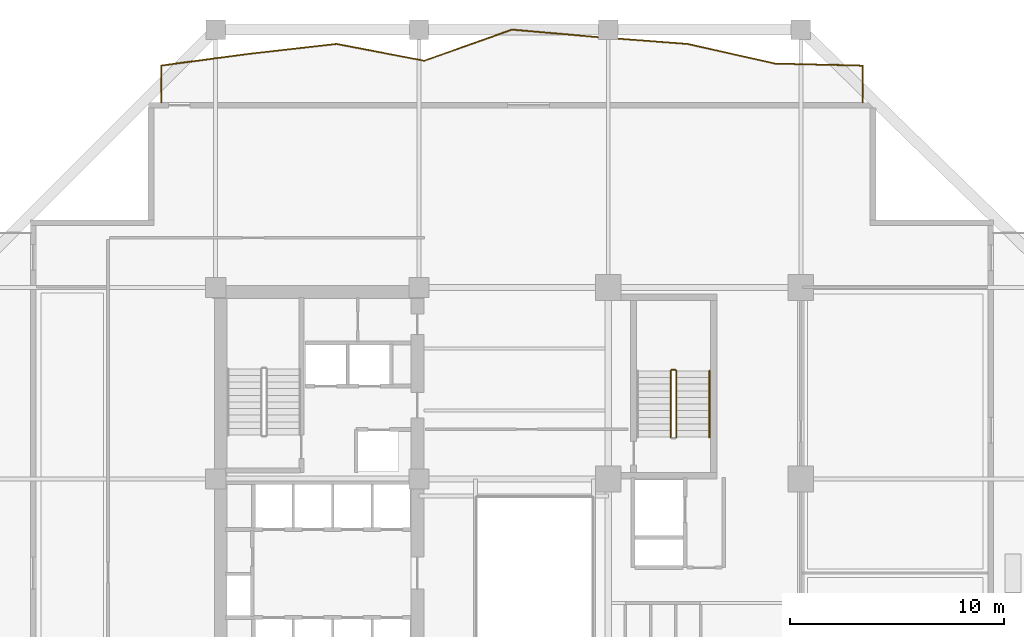
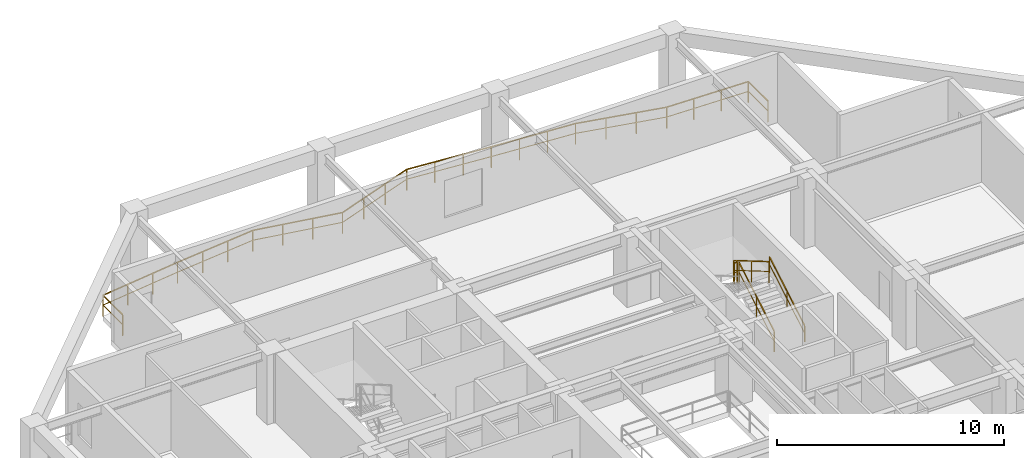
# One storey, part 11 of 13: 5 railings.
"""IFC4 building model written with IfcOpenShell, lengths in metres."""

from ifc_helpers import new_model, si_unit, direction, frame, origin, origin_2d, place, context, subcontext, project, spatial, rectangle, extrude, material, type_object, element, save


model = new_model("IFC4")

# Units and contexts
model_context = context("Model", 3, precision=1e-05, world=origin(), true_north=direction((0.0, 1.0)))
body_context = subcontext(model_context, "Body", "Model", "MODEL_VIEW")
ifc_project = project(units=[si_unit("LENGTHUNIT", "METRE"), si_unit("AREAUNIT", "SQUARE_METRE"), si_unit("VOLUMEUNIT", "CUBIC_METRE"), si_unit("PLANEANGLEUNIT", "RADIAN"), si_unit("MASSUNIT", "GRAM", prefix="KILO")], contexts=[model_context])

# Site, building, storey
site_placement = place(None, origin())
site = spatial("IfcSite", under=ifc_project, at=site_placement, CompositionType="ELEMENT")
building_placement = place(site_placement, origin())
building = spatial("IfcBuilding", under=site, at=building_placement, Name="Kundavana Baori Tower", CompositionType="ELEMENT")
storey_placement = place(building_placement, frame((0.0, 0.0, 34.0)))
storey = spatial("IfcBuildingStorey", under=building, at=storey_placement, Name="L07", CompositionType="ELEMENT", Elevation=34.0)

# Railings
ifc_material_1 = material(Name="Architectural Patinated Bronze Metalwork")
railing_type_1 = type_object("IfcRailingType", Name="RL-BAL-1150", PredefinedType="BALUSTRADE", material=ifc_material_1)
railing_1_placement = place(storey_placement, frame((12.89990234375, 50.60009765625, 0.0)))
element("IfcRailing", 1, at=railing_1_placement, inside=storey, type_object=railing_type_1, Name="L07 Loggia Balcony Balustrade N", PredefinedType="BALUSTRADE", context=body_context, shape_type="SweptSolid", body=[
    extrude(rectangle(XDim=0.048095703125, YDim=0.048095703125, at=origin_2d()), frame((0.0, 0.0, 1.1259765625), z_axis=(0.0, 1.0, 0.0), x_axis=(-1.0, 0.0, 0.0)), (0.0, 0.0, 1.0), 1.719970703125),
    extrude(rectangle(XDim=0.03125, YDim=0.03125, at=origin_2d()), frame((0.0, 0.0, 0.597900390625), z_axis=(0.0, 1.0, 0.0), x_axis=(-1.0, 0.0, 0.0)), (0.0, 0.0, 1.0), 1.719970703125),
    extrude(rectangle(XDim=0.048095703125, YDim=0.048095703125, at=origin_2d()), frame((0.0, 1.719970703125, 1.1259765625), z_axis=(0.991159730328, 0.132673995104, 0.0), x_axis=(-0.132673995104, 0.991159730328, 0.0)), (0.0, 0.0, 1.0), 4.13671875),
    extrude(rectangle(XDim=0.03125, YDim=0.03125, at=origin_2d()), frame((0.0, 1.719970703125, 0.597900390625), z_axis=(0.991159730328, 0.132673995104, 0.0), x_axis=(-0.132673995104, 0.991159730328, 0.0)), (0.0, 0.0, 1.0), 4.13671875),
    extrude(rectangle(XDim=0.048095703125, YDim=0.048095703125, at=origin_2d()), frame((4.10009765625, 2.268798828125, 1.1259765625), z_axis=(0.993627863206, 0.112710556116, 0.0), x_axis=(-0.112710556116, 0.993627863206, 0.0)), (0.0, 0.0, 1.0), 4.12646484375),
    extrude(rectangle(XDim=0.03125, YDim=0.03125, at=origin_2d()), frame((4.10009765625, 2.268798828125, 0.597900390625), z_axis=(0.993627863206, 0.112710556116, 0.0), x_axis=(-0.112710556116, 0.993627863206, 0.0)), (0.0, 0.0, 1.0), 4.12646484375),
    extrude(rectangle(XDim=0.048095703125, YDim=0.048095703125, at=origin_2d()), frame((8.2001953125, 2.73388671875, 1.1259765625), z_axis=(0.982076040463, -0.188485147288, 0.0), x_axis=(0.188485147288, 0.982076040463, 0.0)), (0.0, 0.0, 1.0), 4.174560546875),
    extrude(rectangle(XDim=0.03125, YDim=0.03125, at=origin_2d()), frame((8.2001953125, 2.73388671875, 0.597900390625), z_axis=(0.982076040463, -0.188485147288, 0.0), x_axis=(0.188485147288, 0.982076040463, 0.0)), (0.0, 0.0, 1.0), 4.174560546875),
    extrude(rectangle(XDim=0.048095703125, YDim=0.048095703125, at=origin_2d()), frame((12.300048828125, 1.947021484375, 1.1259765625), z_axis=(0.942572017492, 0.334002981785, 0.0), x_axis=(-0.334002981785, 0.942572017492, 0.0)), (0.0, 0.0, 1.0), 4.349853515625),
    extrude(rectangle(XDim=0.03125, YDim=0.03125, at=origin_2d()), frame((12.300048828125, 1.947021484375, 0.597900390625), z_axis=(0.942572017492, 0.334002981785, 0.0), x_axis=(-0.334002981785, 0.942572017492, 0.0)), (0.0, 0.0, 1.0), 4.349853515625),
    extrude(rectangle(XDim=0.048095703125, YDim=0.048095703125, at=origin_2d()), frame((16.400146484375, 3.39990234375, 1.1259765625), z_axis=(0.996272576419, -0.086260961479, 0.0), x_axis=(0.086260961479, 0.996272576419, 0.0)), (0.0, 0.0, 1.0), 4.115234375),
    extrude(rectangle(XDim=0.03125, YDim=0.03125, at=origin_2d()), frame((16.400146484375, 3.39990234375, 0.597900390625), z_axis=(0.996272576419, -0.086260961479, 0.0), x_axis=(0.086260961479, 0.996272576419, 0.0)), (0.0, 0.0, 1.0), 4.115234375),
    extrude(rectangle(XDim=0.048095703125, YDim=0.048095703125, at=origin_2d()), frame((20.5, 3.044921875, 1.1259765625), z_axis=(0.997134957762, -0.075643083017, 0.0), x_axis=(0.075643083017, 0.997134957762, 0.0)), (0.0, 0.0, 1.0), 4.11181640625),
    extrude(rectangle(XDim=0.03125, YDim=0.03125, at=origin_2d()), frame((20.5, 3.044921875, 0.597900390625), z_axis=(0.997134957762, -0.075643083017, 0.0), x_axis=(0.075643083017, 0.997134957762, 0.0)), (0.0, 0.0, 1.0), 4.11181640625),
    extrude(rectangle(XDim=0.048095703125, YDim=0.048095703125, at=origin_2d()), frame((24.60009765625, 2.73388671875, 1.1259765625), z_axis=(0.975742093402, -0.218923199234, 0.0), x_axis=(0.218923199234, 0.975742093402, 0.0)), (0.0, 0.0, 1.0), 4.2021484375),
    extrude(rectangle(XDim=0.03125, YDim=0.03125, at=origin_2d()), frame((24.60009765625, 2.73388671875, 0.597900390625), z_axis=(0.975742093402, -0.218923199234, 0.0), x_axis=(0.218923199234, 0.975742093402, 0.0)), (0.0, 0.0, 1.0), 4.2021484375),
    extrude(rectangle(XDim=0.048095703125, YDim=0.048095703125, at=origin_2d()), frame((28.7001953125, 1.81396484375, 1.1259765625), z_axis=(0.99973729779, -0.02292019649, 0.0), x_axis=(0.02292019649, 0.99973729779, 0.0)), (0.0, 0.0, 1.0), 4.100830078125),
    extrude(rectangle(XDim=0.03125, YDim=0.03125, at=origin_2d()), frame((28.7001953125, 1.81396484375, 0.597900390625), z_axis=(0.99973729779, -0.02292019649, 0.0), x_axis=(0.02292019649, 0.99973729779, 0.0)), (0.0, 0.0, 1.0), 4.100830078125),
    extrude(rectangle(XDim=0.048095703125, YDim=0.048095703125, at=origin_2d()), frame((32.800048828125, 1.719970703125, 1.1259765625), z_axis=(0.0, -1.0, 0.0), x_axis=(1.0, 0.0, 0.0)), (0.0, 0.0, 1.0), 1.719970703125),
    extrude(rectangle(XDim=0.03125, YDim=0.03125, at=origin_2d()), frame((32.800048828125, 1.719970703125, 0.597900390625), z_axis=(0.0, -1.0, 0.0), x_axis=(1.0, 0.0, 0.0)), (0.0, 0.0, 1.0), 1.719970703125),
    extrude(rectangle(XDim=0.0419921875, YDim=0.0419921875, at=origin_2d()), origin(), (0.0, 0.0, 1.0), 1.101806640625),
    extrude(rectangle(XDim=0.0419921875, YDim=0.0419921875, at=origin_2d()), frame((0.0, 1.719970703125, 0.0)), (0.0, 0.0, 1.0), 1.101806640625),
    extrude(rectangle(XDim=0.0419921875, YDim=0.0419921875, at=origin_2d()), frame((1.36669921875, 1.90283203125, 0.0)), (0.0, 0.0, 1.0), 1.101806640625),
    extrude(rectangle(XDim=0.0419921875, YDim=0.0419921875, at=origin_2d()), frame((2.7333984375, 2.0859375, 0.0)), (0.0, 0.0, 1.0), 1.101806640625),
    extrude(rectangle(XDim=0.0419921875, YDim=0.0419921875, at=origin_2d()), frame((4.10009765625, 2.268798828125, 0.0)), (0.0, 0.0, 1.0), 1.101806640625),
    extrude(rectangle(XDim=0.0419921875, YDim=0.0419921875, at=origin_2d()), frame((5.466796875, 2.423828125, 0.0)), (0.0, 0.0, 1.0), 1.101806640625),
    extrude(rectangle(XDim=0.0419921875, YDim=0.0419921875, at=origin_2d()), frame((6.83349609375, 2.578857421875, 0.0)), (0.0, 0.0, 1.0), 1.101806640625),
    extrude(rectangle(XDim=0.0419921875, YDim=0.0419921875, at=origin_2d()), frame((8.2001953125, 2.73388671875, 0.0)), (0.0, 0.0, 1.0), 1.101806640625),
    extrude(rectangle(XDim=0.0419921875, YDim=0.0419921875, at=origin_2d()), frame((9.56689453125, 2.4716796875, 0.0)), (0.0, 0.0, 1.0), 1.101806640625),
    extrude(rectangle(XDim=0.0419921875, YDim=0.0419921875, at=origin_2d()), frame((10.933349609375, 2.209228515625, 0.0)), (0.0, 0.0, 1.0), 1.101806640625),
    extrude(rectangle(XDim=0.0419921875, YDim=0.0419921875, at=origin_2d()), frame((12.300048828125, 1.947021484375, 0.0)), (0.0, 0.0, 1.0), 1.101806640625),
    extrude(rectangle(XDim=0.0419921875, YDim=0.0419921875, at=origin_2d()), frame((13.666748046875, 2.431396484375, 0.0)), (0.0, 0.0, 1.0), 1.101806640625),
    extrude(rectangle(XDim=0.0419921875, YDim=0.0419921875, at=origin_2d()), frame((15.033447265625, 2.91552734375, 0.0)), (0.0, 0.0, 1.0), 1.101806640625),
    extrude(rectangle(XDim=0.0419921875, YDim=0.0419921875, at=origin_2d()), frame((16.400146484375, 3.39990234375, 0.0)), (0.0, 0.0, 1.0), 1.101806640625),
    extrude(rectangle(XDim=0.0419921875, YDim=0.0419921875, at=origin_2d()), frame((17.766845703125, 3.281494140625, 0.0)), (0.0, 0.0, 1.0), 1.101806640625),
    extrude(rectangle(XDim=0.0419921875, YDim=0.0419921875, at=origin_2d()), frame((19.13330078125, 3.163330078125, 0.0)), (0.0, 0.0, 1.0), 1.101806640625),
    extrude(rectangle(XDim=0.0419921875, YDim=0.0419921875, at=origin_2d()), frame((20.5, 3.044921875, 0.0)), (0.0, 0.0, 1.0), 1.101806640625),
    extrude(rectangle(XDim=0.0419921875, YDim=0.0419921875, at=origin_2d()), frame((21.86669921875, 2.941162109375, 0.0)), (0.0, 0.0, 1.0), 1.101806640625),
    extrude(rectangle(XDim=0.0419921875, YDim=0.0419921875, at=origin_2d()), frame((23.2333984375, 2.837646484375, 0.0)), (0.0, 0.0, 1.0), 1.101806640625),
    extrude(rectangle(XDim=0.0419921875, YDim=0.0419921875, at=origin_2d()), frame((24.60009765625, 2.73388671875, 0.0)), (0.0, 0.0, 1.0), 1.101806640625),
    extrude(rectangle(XDim=0.0419921875, YDim=0.0419921875, at=origin_2d()), frame((25.966796875, 2.42724609375, 0.0)), (0.0, 0.0, 1.0), 1.101806640625),
    extrude(rectangle(XDim=0.0419921875, YDim=0.0419921875, at=origin_2d()), frame((27.33349609375, 2.12060546875, 0.0)), (0.0, 0.0, 1.0), 1.101806640625),
    extrude(rectangle(XDim=0.0419921875, YDim=0.0419921875, at=origin_2d()), frame((28.7001953125, 1.81396484375, 0.0)), (0.0, 0.0, 1.0), 1.101806640625),
    extrude(rectangle(XDim=0.0419921875, YDim=0.0419921875, at=origin_2d()), frame((30.06689453125, 1.78271484375, 0.0)), (0.0, 0.0, 1.0), 1.101806640625),
    extrude(rectangle(XDim=0.0419921875, YDim=0.0419921875, at=origin_2d()), frame((31.433349609375, 1.751220703125, 0.0)), (0.0, 0.0, 1.0), 1.101806640625),
    extrude(rectangle(XDim=0.0419921875, YDim=0.0419921875, at=origin_2d()), frame((32.800048828125, 1.719970703125, 0.0)), (0.0, 0.0, 1.0), 1.101806640625),
    extrude(rectangle(XDim=0.0419921875, YDim=0.0419921875, at=origin_2d()), frame((32.800048828125, 0.0, 0.0)), (0.0, 0.0, 1.0), 1.101806640625),
])
ifc_material_2 = material(Name="Architectural Patinated Bronze Metalwork")
railing_type_2 = type_object("IfcRailingType", Name="RL-GRD-1150", PredefinedType="GUARDRAIL", material=ifc_material_2)
railing_2_placement = place(storey_placement, frame((36.97998046875, 34.949951171875, 0.181884765625)))
element("IfcRailing", 2, at=railing_2_placement, inside=storey, type_object=railing_type_2, Name="L07 ST3 stair guard 1", PredefinedType="GUARDRAIL", context=body_context, shape_type="SweptSolid", body=[
    extrude(rectangle(XDim=0.048095703125, YDim=0.048095703125, at=origin_2d()), frame((0.0, 0.0, 1.1259765625), z_axis=(0.0, 0.862598821094, 0.505888598258), x_axis=(-1.0, 0.0, 0.0)), (0.0, 0.0, 1.0), 3.593994140625),
    extrude(rectangle(XDim=0.03125, YDim=0.03125, at=origin_2d()), frame((0.0, 0.0, 0.597900390625), z_axis=(0.0, 0.862598821094, 0.505888598258), x_axis=(-1.0, 0.0, 0.0)), (0.0, 0.0, 1.0), 3.593994140625),
    extrude(rectangle(XDim=0.0419921875, YDim=0.0419921875, at=origin_2d()), origin(), (0.0, 0.0, 1.0), 1.101806640625),
    extrude(rectangle(XDim=0.0419921875, YDim=0.0419921875, at=origin_2d()), frame((0.0, 1.550048828125, 0.9091796875)), (0.0, 0.0, 1.0), 1.101806640625),
    extrude(rectangle(XDim=0.0419921875, YDim=0.0419921875, at=origin_2d()), frame((0.0, 3.10009765625, 1.818115234375)), (0.0, 0.0, 1.0), 1.101806640625),
])
railing_3_placement = place(storey_placement, frame((36.929931640625, 38.10009765625, 2.0)))
element("IfcRailing", 3, at=railing_3_placement, inside=storey, type_object=railing_type_2, Name="L07 ST3 stair guard 2", PredefinedType="GUARDRAIL", context=body_context, shape_type="SweptSolid", body=[
    extrude(rectangle(XDim=0.048095703125, YDim=0.048095703125, at=origin_2d()), frame((0.0, 0.0, 1.1259765625), z_axis=(-1.0, 0.0, 0.0), x_axis=(0.0, -1.0, 0.0)), (0.0, 0.0, 1.0), 0.159912109375),
    extrude(rectangle(XDim=0.03125, YDim=0.03125, at=origin_2d()), frame((0.0, 0.0, 0.597900390625), z_axis=(-1.0, 0.0, 0.0), x_axis=(0.0, -1.0, 0.0)), (0.0, 0.0, 1.0), 0.159912109375),
    extrude(rectangle(XDim=0.0419921875, YDim=0.0419921875, at=origin_2d()), origin(), (0.0, 0.0, 1.0), 1.101806640625),
    extrude(rectangle(XDim=0.0419921875, YDim=0.0419921875, at=origin_2d()), frame((-0.159912109375, 0.0, 0.0)), (0.0, 0.0, 1.0), 1.101806640625),
])
railing_4_placement = place(storey_placement, frame((36.719970703125, 38.050048828125, 2.181884765625)))
element("IfcRailing", 4, at=railing_4_placement, inside=storey, type_object=railing_type_2, Name="L07 ST3 stair guard 3", PredefinedType="GUARDRAIL", context=body_context, shape_type="SweptSolid", body=[
    extrude(rectangle(XDim=0.048095703125, YDim=0.048095703125, at=origin_2d()), frame((0.0, 0.0, 1.1259765625), z_axis=(0.0, -0.862598821094, 0.505888598258), x_axis=(1.0, 0.0, 0.0)), (0.0, 0.0, 1.0), 3.593994140625),
    extrude(rectangle(XDim=0.03125, YDim=0.03125, at=origin_2d()), frame((0.0, 0.0, 0.597900390625), z_axis=(0.0, -0.862598821094, 0.505888598258), x_axis=(1.0, 0.0, 0.0)), (0.0, 0.0, 1.0), 3.593994140625),
    extrude(rectangle(XDim=0.0419921875, YDim=0.0419921875, at=origin_2d()), origin(), (0.0, 0.0, 1.0), 1.101806640625),
    extrude(rectangle(XDim=0.0419921875, YDim=0.0419921875, at=origin_2d()), frame((0.0, -1.550048828125, 0.9091796875)), (0.0, 0.0, 1.0), 1.101806640625),
    extrude(rectangle(XDim=0.0419921875, YDim=0.0419921875, at=origin_2d()), frame((0.0, -3.10009765625, 1.818115234375)), (0.0, 0.0, 1.0), 1.101806640625),
])
ifc_material_3 = material(Name="Architectural Patinated Bronze Metalwork")
railing_type_3 = type_object("IfcRailingType", Name="RL-HND-920", PredefinedType="HANDRAIL", material=ifc_material_3)
railing_5_placement = place(storey_placement, frame((38.530029296875, 34.949951171875, 0.181884765625)))
element("IfcRailing", 5, at=railing_5_placement, inside=storey, type_object=railing_type_3, Name="L07 ST3 stair handrail 1", PredefinedType="HANDRAIL", context=body_context, shape_type="SweptSolid", body=[
    extrude(rectangle(XDim=0.048095703125, YDim=0.048095703125, at=origin_2d()), frame((0.0, 0.0, 0.8759765625), z_axis=(0.0, 0.862598821094, 0.505888598258), x_axis=(-1.0, 0.0, 0.0)), (0.0, 0.0, 1.0), 3.593994140625),
    extrude(rectangle(XDim=0.03125, YDim=0.03125, at=origin_2d()), frame((0.0, 0.0, 0.468017578125), z_axis=(0.0, 0.862598821094, 0.505888598258), x_axis=(-1.0, 0.0, 0.0)), (0.0, 0.0, 1.0), 3.593994140625),
    extrude(rectangle(XDim=0.0419921875, YDim=0.0419921875, at=origin_2d()), origin(), (0.0, 0.0, 1.0), 0.851806640625),
    extrude(rectangle(XDim=0.0419921875, YDim=0.0419921875, at=origin_2d()), frame((0.0, 1.550048828125, 0.9091796875)), (0.0, 0.0, 1.0), 0.851806640625),
    extrude(rectangle(XDim=0.0419921875, YDim=0.0419921875, at=origin_2d()), frame((0.0, 3.10009765625, 1.818115234375)), (0.0, 0.0, 1.0), 0.851806640625),
])

save(model, "model.ifc")
